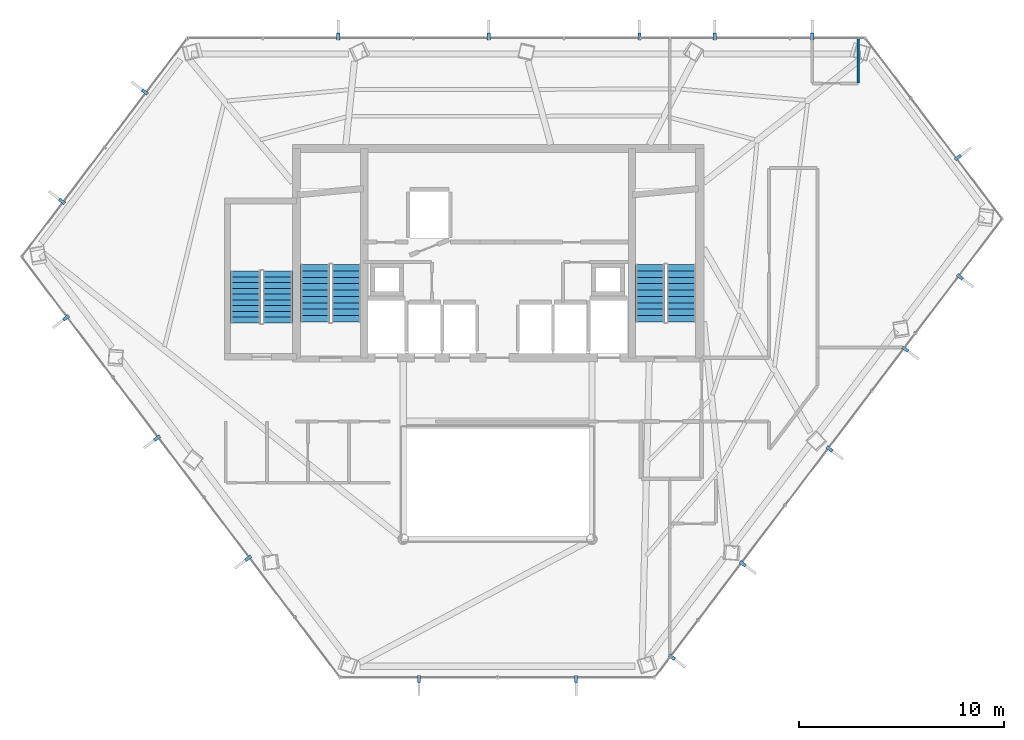
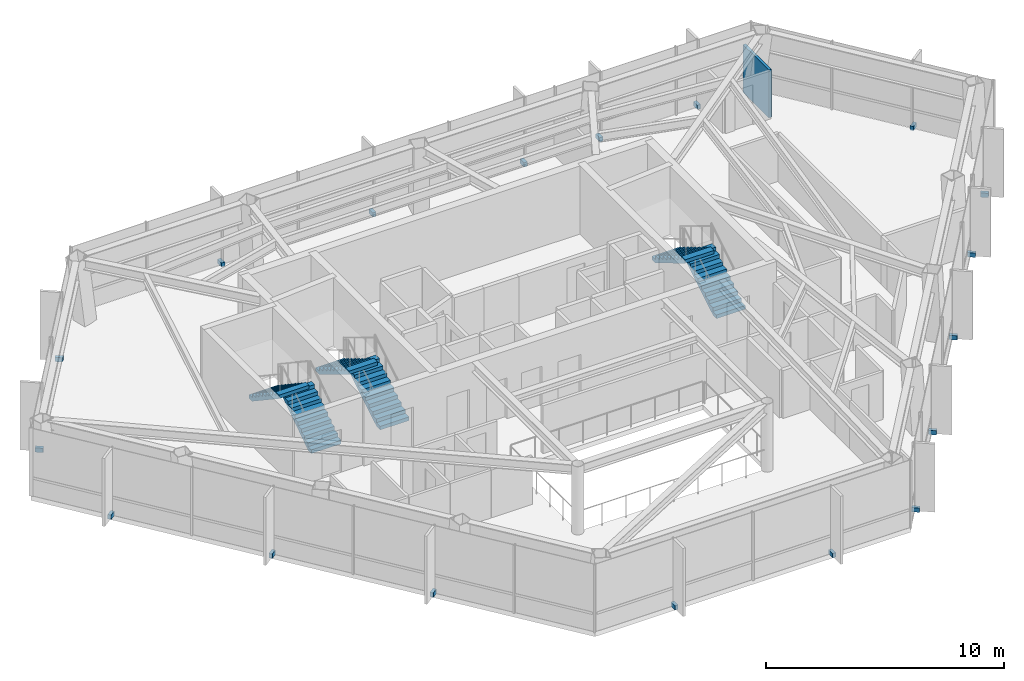
# One storey, part 26 of 27: 18 discrete accessories, 6 stair flights, 1 wall, 3 elements without a shape of their own.
"""IFC4 building model written with IfcOpenShell, lengths in metres."""

from ifc_helpers import new_model, si_unit, direction, frame, frame_2d, origin, origin_2d, place, context, subcontext, project, spatial, polyline, rectangle, outline, extrude, material, layer, layer_set, type_object, element, aggregate, save


model = new_model("IFC4")

# Units and contexts
model_context = context("Model", 3, precision=1e-05, world=origin(), true_north=direction((0.0, 1.0)))
body_context = subcontext(model_context, "Body", "Model", "MODEL_VIEW")
ifc_project = project(units=[si_unit("LENGTHUNIT", "METRE"), si_unit("AREAUNIT", "SQUARE_METRE"), si_unit("VOLUMEUNIT", "CUBIC_METRE"), si_unit("PLANEANGLEUNIT", "RADIAN"), si_unit("MASSUNIT", "GRAM", prefix="KILO")], contexts=[model_context])

# Site, building, storey
site_placement = place(None, origin())
site = spatial("IfcSite", under=ifc_project, at=site_placement, CompositionType="ELEMENT")
building_placement = place(site_placement, origin())
building = spatial("IfcBuilding", under=site, at=building_placement, Name="Zarrinselat Tower", CompositionType="ELEMENT")
storey_placement = place(building_placement, frame((0.0, 0.0, 172.0400390625)))
storey = spatial("IfcBuildingStorey", under=building, at=storey_placement, Name="L42", CompositionType="ELEMENT", Elevation=172.0400390625)

# Wall
ifc_material_1 = material(Name="Fire-Rated Gypsum Board Partition", Category="gypsum")
ifc_layer = layer(ifc_material_1, 0.135009765625)
ifc_layer_set = layer_set([ifc_layer], Name="Fire-Rated Gypsum Board Partition")
wall_type = type_object("IfcWallType", Name="WAL-PART-WET", PredefinedType="PARTITIONING", material=ifc_layer_set)
wall_placement = place(storey_placement, frame((55.99609375, 46.64892578125, 0.0), z_axis=(0.0, 0.0, 1.0), x_axis=(0.0, 1.0, 0.0)))
element("IfcWall", 1, at=wall_placement, inside=storey, type_object=wall_type, Name="L42 Partition Wall 45", PredefinedType="PARTITIONING", context=body_context, shape_type="SweptSolid", body=[
    extrude(rectangle(XDim=2.175048828125, YDim=0.135009765625, at=frame_2d((1.08740234375, 0.0))), origin(), (0.0, 0.0, 1.0), 2.45703125),
])

# Stair, stair flights
ifc_material_2 = material(Name="Concrete C40/50", Category="concrete")
stair_type_1 = type_object("IfcStairType", Name="STR-CORE-145", PredefinedType="HALF_TURN_STAIR", material=ifc_material_2)
stair_1_placement = place(storey_placement, origin())
stair_1 = element("IfcStair", 2, at=stair_1_placement, inside=storey, type_object=stair_type_1, Name="L42 Podium & Mid-Tower Exit Stair 3", PredefinedType="HALF_TURN_STAIR")
ifc_material_3 = material(Name="Concrete C40/50", Category="concrete")
stair_flight_type_1 = type_object("IfcStairFlightType", Name="STR-FLT-145", PredefinedType="STRAIGHT", material=ifc_material_3)
stair_flight_1_placement = place(storey_placement, frame((27.675048828125, 34.949951171875, 0.0), z_axis=(0.0, 0.0, 1.0), x_axis=(0.0, 1.0, 0.0)))
stair_flight_1 = element("IfcStairFlight", 3, at=stair_flight_1_placement, type_object=stair_flight_type_1, Name="ST-3 flight 1", NumberOfRisers=10, NumberOfTreads=9, PredefinedType="STRAIGHT", RiserHeight=0.187, TreadLength=0.28, context=body_context, shape_type="SweptSolid", body=[
    extrude(outline(polyline([(0.0, 0.0), (0.0, 0.18701171875), (0.280029296875, 0.18701171875), (0.280029296875, 0.3740234375), (0.56005859375, 0.3740234375), (0.56005859375, 0.56103515625), (0.840087890625, 0.56103515625), (0.840087890625, 0.748046875), (1.1201171875, 0.748046875), (1.1201171875, 0.93505859375), (1.39990234375, 0.93505859375), (1.39990234375, 1.1220703125), (1.679931640625, 1.1220703125), (1.679931640625, 1.30908203125), (1.9599609375, 1.30908203125), (1.9599609375, 1.49609375), (2.239990234375, 1.49609375), (2.239990234375, 1.68310546875), (2.52001953125, 1.68310546875), (2.52001953125, 1.8701171875), (2.52001953125, 1.502685546875), (0.27001953125, 0.0), (0.0, 0.0)])), frame((0.0, 0.72509765625, 0.0), z_axis=(0.0, -1.0, 0.0), x_axis=(1.0, 0.0, 0.0)), (0.0, 0.0, 1.0), 1.449951171875),
])
stair_flight_2_placement = place(storey_placement, frame((26.10498046875, 37.469970703125, 1.869873046875), z_axis=(0.0, 0.0, 1.0), x_axis=(0.0, -1.0, 0.0)))
stair_flight_2 = element("IfcStairFlight", 4, at=stair_flight_2_placement, type_object=stair_flight_type_1, Name="ST-3 flight 2", NumberOfRisers=10, NumberOfTreads=9, PredefinedType="STRAIGHT", RiserHeight=0.187, TreadLength=0.28, context=body_context, shape_type="SweptSolid", body=[
    extrude(outline(polyline([(0.0, 0.0), (0.0, 0.18701171875), (0.280029296875, 0.18701171875), (0.280029296875, 0.3740234375), (0.56005859375, 0.3740234375), (0.56005859375, 0.56103515625), (0.840087890625, 0.56103515625), (0.840087890625, 0.748046875), (1.1201171875, 0.748046875), (1.1201171875, 0.93505859375), (1.39990234375, 0.93505859375), (1.39990234375, 1.1220703125), (1.679931640625, 1.1220703125), (1.679931640625, 1.30908203125), (1.9599609375, 1.30908203125), (1.9599609375, 1.49609375), (2.239990234375, 1.49609375), (2.239990234375, 1.68310546875), (2.52001953125, 1.68310546875), (2.52001953125, 1.8701171875), (2.52001953125, 1.502685546875), (0.27001953125, 0.0), (0.0, 0.0)])), frame((0.0, 0.72509765625, 0.0), z_axis=(0.0, -1.0, 0.0), x_axis=(1.0, 0.0, 0.0)), (0.0, 0.0, 1.0), 1.449951171875),
])
aggregate(stair_1, [stair_flight_1, stair_flight_2])

ifc_material_4 = material(Name="Concrete C40/50", Category="concrete")
stair_type_2 = type_object("IfcStairType", Name="STR-CORE-155", PredefinedType="HALF_TURN_STAIR", material=ifc_material_4)
stair_2_placement = place(storey_placement, origin())
stair_2 = element("IfcStair", 5, at=stair_2_placement, inside=storey, type_object=stair_type_2, Name="L42 Core Exit Stair 1", PredefinedType="HALF_TURN_STAIR")
ifc_material_5 = material(Name="Concrete C40/50", Category="concrete")
stair_flight_type_2 = type_object("IfcStairFlightType", Name="STR-FLT-155", PredefinedType="STRAIGHT", material=ifc_material_5)
stair_flight_3_placement = place(storey_placement, frame((31.02001953125, 35.0, 0.0), z_axis=(0.0, 0.0, 1.0), x_axis=(0.0, 1.0, 0.0)))
stair_flight_3 = element("IfcStairFlight", 6, at=stair_flight_3_placement, type_object=stair_flight_type_2, Name="ST-1 flight 1", NumberOfRisers=10, NumberOfTreads=9, PredefinedType="STRAIGHT", RiserHeight=0.187, TreadLength=0.31, context=body_context, shape_type="SweptSolid", body=[
    extrude(outline(polyline([(0.0, 0.0), (0.0, 0.18701171875), (0.31005859375, 0.18701171875), (0.31005859375, 0.3740234375), (0.6201171875, 0.3740234375), (0.6201171875, 0.56103515625), (0.929931640625, 0.56103515625), (0.929931640625, 0.748046875), (1.239990234375, 0.748046875), (1.239990234375, 0.93505859375), (1.550048828125, 0.93505859375), (1.550048828125, 1.1220703125), (1.860107421875, 1.1220703125), (1.860107421875, 1.30908203125), (2.169921875, 1.30908203125), (2.169921875, 1.49609375), (2.47998046875, 1.49609375), (2.47998046875, 1.68310546875), (2.7900390625, 1.68310546875), (2.7900390625, 1.8701171875), (2.7900390625, 1.508056640625), (0.290283203125, 0.0), (0.0, 0.0)])), frame((0.0, 0.699951171875, 0.0), z_axis=(0.0, -1.0, 0.0), x_axis=(1.0, 0.0, 0.0)), (0.0, 0.0, 1.0), 1.39990234375),
])
stair_flight_4_placement = place(storey_placement, frame((29.5, 37.7900390625, 1.869873046875), z_axis=(0.0, 0.0, 1.0), x_axis=(0.0, -1.0, 0.0)))
stair_flight_4 = element("IfcStairFlight", 7, at=stair_flight_4_placement, type_object=stair_flight_type_2, Name="ST-1 flight 2", NumberOfRisers=10, NumberOfTreads=9, PredefinedType="STRAIGHT", RiserHeight=0.187, TreadLength=0.31, context=body_context, shape_type="SweptSolid", body=[
    extrude(outline(polyline([(0.0, 0.0), (0.0, 0.18701171875), (0.31005859375, 0.18701171875), (0.31005859375, 0.3740234375), (0.6201171875, 0.3740234375), (0.6201171875, 0.56103515625), (0.929931640625, 0.56103515625), (0.929931640625, 0.748046875), (1.239990234375, 0.748046875), (1.239990234375, 0.93505859375), (1.550048828125, 0.93505859375), (1.550048828125, 1.1220703125), (1.860107421875, 1.1220703125), (1.860107421875, 1.30908203125), (2.169921875, 1.30908203125), (2.169921875, 1.49609375), (2.47998046875, 1.49609375), (2.47998046875, 1.68310546875), (2.7900390625, 1.68310546875), (2.7900390625, 1.8701171875), (2.7900390625, 1.508056640625), (0.290283203125, 0.0), (0.0, 0.0)])), frame((0.0, 0.699951171875, 0.0), z_axis=(0.0, -1.0, 0.0), x_axis=(1.0, 0.0, 0.0)), (0.0, 0.0, 1.0), 1.39990234375),
])
aggregate(stair_2, [stair_flight_3, stair_flight_4])

stair_3_placement = place(storey_placement, origin())
stair_3 = element("IfcStair", 8, at=stair_3_placement, inside=storey, type_object=stair_type_2, Name="L42 Core Exit Stair 2", PredefinedType="HALF_TURN_STAIR")
stair_flight_5_placement = place(storey_placement, frame((47.360107421875, 35.0, 0.0), z_axis=(0.0, 0.0, 1.0), x_axis=(0.0, 1.0, 0.0)))
stair_flight_5 = element("IfcStairFlight", 9, at=stair_flight_5_placement, type_object=stair_flight_type_2, Name="ST-2 flight 1", NumberOfRisers=10, NumberOfTreads=9, PredefinedType="STRAIGHT", RiserHeight=0.187, TreadLength=0.31, context=body_context, shape_type="SweptSolid", body=[
    extrude(outline(polyline([(0.0, 0.0), (0.0, 0.18701171875), (0.31005859375, 0.18701171875), (0.31005859375, 0.3740234375), (0.6201171875, 0.3740234375), (0.6201171875, 0.56103515625), (0.929931640625, 0.56103515625), (0.929931640625, 0.748046875), (1.239990234375, 0.748046875), (1.239990234375, 0.93505859375), (1.550048828125, 0.93505859375), (1.550048828125, 1.1220703125), (1.860107421875, 1.1220703125), (1.860107421875, 1.30908203125), (2.169921875, 1.30908203125), (2.169921875, 1.49609375), (2.47998046875, 1.49609375), (2.47998046875, 1.68310546875), (2.7900390625, 1.68310546875), (2.7900390625, 1.8701171875), (2.7900390625, 1.508056640625), (0.290283203125, 0.0), (0.0, 0.0)])), frame((0.0, 0.699951171875, 0.0), z_axis=(0.0, -1.0, 0.0), x_axis=(1.0, 0.0, 0.0)), (0.0, 0.0, 1.0), 1.39990234375),
])
stair_flight_6_placement = place(storey_placement, frame((45.840087890625, 37.7900390625, 1.869873046875), z_axis=(0.0, 0.0, 1.0), x_axis=(0.0, -1.0, 0.0)))
stair_flight_6 = element("IfcStairFlight", 10, at=stair_flight_6_placement, type_object=stair_flight_type_2, Name="ST-2 flight 2", NumberOfRisers=10, NumberOfTreads=9, PredefinedType="STRAIGHT", RiserHeight=0.187, TreadLength=0.31, context=body_context, shape_type="SweptSolid", body=[
    extrude(outline(polyline([(0.0, 0.0), (0.0, 0.18701171875), (0.31005859375, 0.18701171875), (0.31005859375, 0.3740234375), (0.6201171875, 0.3740234375), (0.6201171875, 0.56103515625), (0.929931640625, 0.56103515625), (0.929931640625, 0.748046875), (1.239990234375, 0.748046875), (1.239990234375, 0.93505859375), (1.550048828125, 0.93505859375), (1.550048828125, 1.1220703125), (1.860107421875, 1.1220703125), (1.860107421875, 1.30908203125), (2.169921875, 1.30908203125), (2.169921875, 1.49609375), (2.47998046875, 1.49609375), (2.47998046875, 1.68310546875), (2.7900390625, 1.68310546875), (2.7900390625, 1.8701171875), (2.7900390625, 1.508056640625), (0.290283203125, 0.0), (0.0, 0.0)])), frame((0.0, 0.699951171875, 0.0), z_axis=(0.0, -1.0, 0.0), x_axis=(1.0, 0.0, 0.0)), (0.0, 0.0, 1.0), 1.39990234375),
])
aggregate(stair_3, [stair_flight_5, stair_flight_6])

# Discrete accessories
ifc_material_6 = material(Name="Steel S355J2", Category="steel")
discrete_accessory_type = type_object("IfcDiscreteAccessoryType", Name="ACC-FIN-BRACKET", PredefinedType="BRACKET", material=ifc_material_6)
for number, where, z_axis, x_axis, name in (
    (11, (53.74609375, 48.908935546875, -0.0498046875), (0.0, 0.0, 1.0), (0.0, 1.0, 0.0), "L42 Fin Fixing Bracket CW-L42-E01-01"),
    (12, (48.99755859375, 48.908935546875, -0.0498046875), (0.0, 0.0, 1.0), (0.0, 1.0, 0.0), "L42 Fin Fixing Bracket CW-L42-E01-03"),
    (13, (45.322998046875, 48.908935546875, -0.0498046875), (0.0, 0.0, 1.0), (0.0, 1.0, 0.0), "L42 Fin Fixing Bracket CW-L42-E01-05"),
    (14, (37.973876953125, 48.908935546875, -0.0498046875), (0.0, 0.0, 1.0), (0.0, 1.0, 0.0), "L42 Fin Fixing Bracket CW-L42-E01-07"),
    (15, (30.62451171875, 48.908935546875, -0.0498046875), (0.0, 0.0, 1.0), (0.0, 1.0, 0.0), "L42 Fin Fixing Bracket CW-L42-E01-09"),
    (16, (21.19921875, 46.21435546875, -0.0498046875), (0.0, 0.0, 1.0), (-0.797094545808, 0.603854523079, 0.0), "L42 Fin Fixing Bracket CW-L42-E02-01"),
    (17, (17.158447265625, 40.88037109375, -0.0498046875), (0.0, 0.0, 1.0), (-0.797094545808, 0.603854523079, 0.0), "L42 Fin Fixing Bracket CW-L42-E02-03"),
    (18, (17.3583984375, 35.19775390625, -0.0498046875), (0.0, 0.0, 1.0), (-0.797091921496, -0.603857987184, 0.0), "L42 Fin Fixing Bracket CW-L42-E03-01"),
    (19, (21.799560546875, 29.33544921875, -0.0498046875), (0.0, 0.0, 1.0), (-0.797091921496, -0.603857987184, 0.0), "L42 Fin Fixing Bracket CW-L42-E03-03"),
    (20, (26.24072265625, 23.47314453125, -0.0498046875), (0.0, 0.0, 1.0), (-0.797091921496, -0.603857987184, 0.0), "L42 Fin Fixing Bracket CW-L42-E03-05"),
    (21, (34.56884765625, 17.583251953125, -0.0498046875), (0.0, 0.0, 1.0), (0.0, -1.0, 0.0), "L42 Fin Fixing Bracket CW-L42-E04-01"),
    (22, (42.231201171875, 17.583251953125, -0.0498046875), (0.0, 0.0, 1.0), (0.0, -1.0, 0.0), "L42 Fin Fixing Bracket CW-L42-E04-03"),
    (23, (46.903564453125, 18.647705078125, -0.0498046875), (0.0, 0.0, 1.0), (0.797091265033, -0.603858853713, 0.0), "L42 Fin Fixing Bracket CW-L42-E05-01"),
    (24, (50.35693359375, 23.2060546875, -0.0498046875), (0.0, 0.0, 1.0), (0.797091265033, -0.603858853713, 0.0), "L42 Fin Fixing Bracket CW-L42-E05-03"),
    (25, (54.595703125, 28.80126953125, -0.0498046875), (0.0, 0.0, 1.0), (0.797091265033, -0.603858853713, 0.0), "L42 Fin Fixing Bracket CW-L42-E05-05"),
    (26, (58.287109375, 33.674072265625, -0.0498046875), (0.0, 0.0, 1.0), (0.797091265033, -0.603858853713, 0.0), "L42 Fin Fixing Bracket CW-L42-E05-07"),
    (27, (60.95361328125, 37.19384765625, -0.0498046875), (0.0, 0.0, 1.0), (0.797091265033, -0.603858853713, 0.0), "L42 Fin Fixing Bracket CW-L42-E05-09"),
    (28, (60.849609375, 43.010986328125, -0.0498046875), (0.0, 0.0, 1.0), (0.797092412227, 0.603857339419, 0.0), "L42 Fin Fixing Bracket CW-L42-E06-01"),
):
    element("IfcDiscreteAccessory", number, at=place(storey_placement, frame(where, z_axis=z_axis, x_axis=x_axis)), inside=storey, type_object=discrete_accessory_type, Name=name, PredefinedType="BRACKET", context=body_context, shape_type="SweptSolid", body=[
        extrude(rectangle(XDim=0.340087890625, YDim=0.159912109375, at=origin_2d()), origin(), (0.0, 0.0, 1.0), 0.219970703125),
    ])

save(model, "model.ifc")
